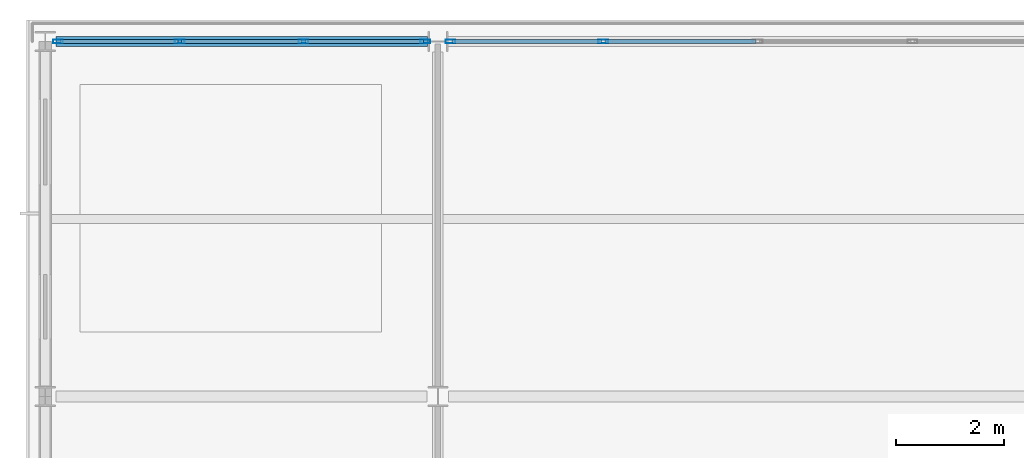
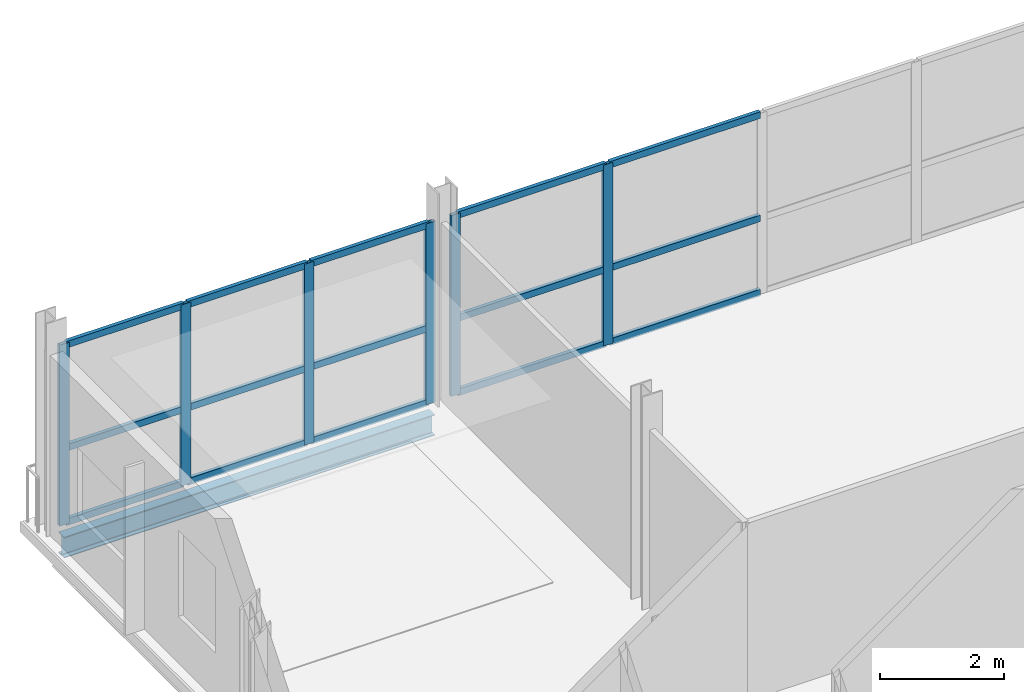
# One storey, part 11 of 23: 21 members, 1 beam, 2 elements without a shape of their own.
"""IFC4 building model written with IfcOpenShell, lengths in metres."""

from ifc_helpers import new_model, si_unit, direction, frame, origin, origin_2d, place, context, subcontext, project, spatial, hollow_rectangle, i_section, extrude, material, layer, layer_set, material_profile, profile_set, type_object, element, aggregate, save


model = new_model("IFC4")

# Units and contexts
model_context = context("Model", 3, precision=1e-05, world=origin(), true_north=direction((0.0, 1.0)))
body_context = subcontext(model_context, "Body", "Model", "MODEL_VIEW")
ifc_project = project(units=[si_unit("LENGTHUNIT", "METRE"), si_unit("AREAUNIT", "SQUARE_METRE"), si_unit("VOLUMEUNIT", "CUBIC_METRE"), si_unit("PLANEANGLEUNIT", "RADIAN"), si_unit("MASSUNIT", "GRAM", prefix="KILO")], contexts=[model_context])

# Site, building, storey
site_placement = place(None, origin())
site = spatial("IfcSite", under=ifc_project, at=site_placement, CompositionType="ELEMENT")
building_placement = place(site_placement, origin())
building = spatial("IfcBuilding", under=site, at=building_placement, Name="Quillay Park Conservatory", CompositionType="ELEMENT")
storey_placement = place(building_placement, frame((0.0, 0.0, 22.5)))
storey = spatial("IfcBuildingStorey", under=building, at=storey_placement, Name="L05", CompositionType="ELEMENT", Elevation=22.5)

# Curtain wall, members
ifc_material_1 = material(Name="Thermally Broken Anodised Aluminium 6063-T6", Category="aluminium")
ifc_layer = layer(ifc_material_1, 0.179931640625)
ifc_layer_set = layer_set([ifc_layer], Name="UNITISED CURTAIN WALL TOWER (Thermally Broken Anodised Aluminium 6063-T6)")
curtain_wall_type = type_object("IfcCurtainWallType", Name="UNITISED CURTAIN WALL TOWER", PredefinedType="USERDEFINED", material=ifc_layer_set)
curtain_wall_1_placement = place(storey_placement, origin())
curtain_wall_1 = element("IfcCurtainWall", 1, at=curtain_wall_1_placement, inside=storey, type_object=curtain_wall_type, Name="L05 Unitised Curtain Wall 055", ObjectType="UNITISED CURTAIN WALL", PredefinedType="USERDEFINED")
ifc_material_2 = material(Name="Thermally Broken Anodised Aluminium 6063-T6", Category="aluminium")
ifc_material_profile_1 = material_profile(ifc_material_2, hollow_rectangle(XDim=0.070068359375, YDim=0.179931640625, WallThickness=0.00390625, at=origin_2d()), Name="AL70x180x4")
ifc_profile_set_1 = profile_set([ifc_material_profile_1], Name="Thermally Broken Anodised Aluminium 6063-T6")
member_type_1 = type_object("IfcMemberType", Name="CURTAIN WALL MULLION 70 X180", PredefinedType="MULLION", material=ifc_profile_set_1)
member_1_placement = place(storey_placement, frame((0.784912109375, 113.39990234375, 0.0), z_axis=(0.0, 0.0, 1.0), x_axis=(0.0, 1.0, 0.0)))
member_1 = element("IfcMember", 2, at=member_1_placement, type_object=member_type_1, Name="CW-T1 mullion 1", PredefinedType="MULLION", context=body_context, shape_type="SweptSolid", body=[
    extrude(hollow_rectangle(XDim=0.070068359375, YDim=0.179931640625, WallThickness=0.00390625, at=origin_2d()), origin(), (0.0, 0.0, 1.0), 3.569091796875),
])
member_2_placement = place(storey_placement, frame((3.050048828125, 113.39990234375, 0.0), z_axis=(0.0, 0.0, 1.0), x_axis=(0.0, 1.0, 0.0)))
member_2 = element("IfcMember", 3, at=member_2_placement, type_object=member_type_1, Name="CW-T1 mullion 2", PredefinedType="MULLION", context=body_context, shape_type="SweptSolid", body=[
    extrude(hollow_rectangle(XDim=0.070068359375, YDim=0.179931640625, WallThickness=0.00390625, at=origin_2d()), origin(), (0.0, 0.0, 1.0), 3.569091796875),
])
member_3_placement = place(storey_placement, frame((5.35009765625, 113.39990234375, 0.0), z_axis=(0.0, 0.0, 1.0), x_axis=(0.0, 1.0, 0.0)))
member_3 = element("IfcMember", 4, at=member_3_placement, type_object=member_type_1, Name="CW-T1 mullion 3", PredefinedType="MULLION", context=body_context, shape_type="SweptSolid", body=[
    extrude(hollow_rectangle(XDim=0.070068359375, YDim=0.179931640625, WallThickness=0.00390625, at=origin_2d()), origin(), (0.0, 0.0, 1.0), 3.569091796875),
])
member_4_placement = place(storey_placement, frame((7.614990234375, 113.39990234375, 0.0), z_axis=(0.0, 0.0, 1.0), x_axis=(0.0, 1.0, 0.0)))
member_4 = element("IfcMember", 5, at=member_4_placement, type_object=member_type_1, Name="CW-T1 mullion 4", PredefinedType="MULLION", context=body_context, shape_type="SweptSolid", body=[
    extrude(hollow_rectangle(XDim=0.070068359375, YDim=0.179931640625, WallThickness=0.00390625, at=origin_2d()), origin(), (0.0, 0.0, 1.0), 3.569091796875),
])

curtain_wall_2_placement = place(storey_placement, origin())
curtain_wall_2 = element("IfcCurtainWall", 6, at=curtain_wall_2_placement, inside=storey, type_object=curtain_wall_type, Name="L05 Unitised Curtain Wall 056", ObjectType="UNITISED CURTAIN WALL", PredefinedType="USERDEFINED")
member_5_placement = place(storey_placement, frame((8.0849609375, 113.39990234375, 0.0), z_axis=(0.0, 0.0, 1.0), x_axis=(0.0, 1.0, 0.0)))
member_5 = element("IfcMember", 7, at=member_5_placement, type_object=member_type_1, Name="CW-T1 mullion 1", PredefinedType="MULLION", context=body_context, shape_type="SweptSolid", body=[
    extrude(hollow_rectangle(XDim=0.070068359375, YDim=0.179931640625, WallThickness=0.00390625, at=origin_2d()), origin(), (0.0, 0.0, 1.0), 3.569091796875),
])
member_6_placement = place(storey_placement, frame((10.925048828125, 113.39990234375, 0.0), z_axis=(0.0, 0.0, 1.0), x_axis=(0.0, 1.0, 0.0)))
member_6 = element("IfcMember", 8, at=member_6_placement, type_object=member_type_1, Name="CW-T1 mullion 2", PredefinedType="MULLION", context=body_context, shape_type="SweptSolid", body=[
    extrude(hollow_rectangle(XDim=0.070068359375, YDim=0.179931640625, WallThickness=0.00390625, at=origin_2d()), origin(), (0.0, 0.0, 1.0), 3.569091796875),
])

# Member
ifc_material_3 = material(Name="Thermally Broken Anodised Aluminium 6063-T6", Category="aluminium")
ifc_material_profile_2 = material_profile(ifc_material_3, hollow_rectangle(XDim=0.070068359375, YDim=0.1298828125, WallThickness=0.003173828125, at=origin_2d()), Name="AL70x130x3.2")
ifc_profile_set_2 = profile_set([ifc_material_profile_2], Name="Thermally Broken Anodised Aluminium 6063-T6")
member_type_2 = type_object("IfcMemberType", Name="CURTAIN WALL TRANSOM 70 X130", PredefinedType="USERDEFINED", material=ifc_profile_set_2)
member_7_placement = place(storey_placement, frame((0.820068359375, 113.39990234375, 0.034912109375), z_axis=(1.0, 0.0, 0.0), x_axis=(0.0, 1.0, 0.0)))
member_7 = element("IfcMember", 9, at=member_7_placement, type_object=member_type_2, Name="CW-T1 transom 1.1", ObjectType="TRANSOM", PredefinedType="USERDEFINED", context=body_context, shape_type="SweptSolid", body=[
    extrude(hollow_rectangle(XDim=0.070068359375, YDim=0.1298828125, WallThickness=0.003173828125, at=origin_2d()), origin(), (0.0, 0.0, 1.0), 2.19482421875),
])

member_8_placement = place(storey_placement, frame((0.820068359375, 113.39990234375, 1.4990234375), z_axis=(1.0, 0.0, 0.0), x_axis=(0.0, 1.0, 0.0)))
member_8 = element("IfcMember", 10, at=member_8_placement, type_object=member_type_2, Name="CW-T1 transom 1.2", ObjectType="TRANSOM", PredefinedType="USERDEFINED", context=body_context, shape_type="SweptSolid", body=[
    extrude(hollow_rectangle(XDim=0.070068359375, YDim=0.1298828125, WallThickness=0.003173828125, at=origin_2d()), origin(), (0.0, 0.0, 1.0), 2.19482421875),
])

member_9_placement = place(storey_placement, frame((0.820068359375, 113.39990234375, 3.533935546875), z_axis=(1.0, 0.0, 0.0), x_axis=(0.0, 1.0, 0.0)))
member_9 = element("IfcMember", 11, at=member_9_placement, type_object=member_type_2, Name="CW-T1 transom 1.3", ObjectType="TRANSOM", PredefinedType="USERDEFINED", context=body_context, shape_type="SweptSolid", body=[
    extrude(hollow_rectangle(XDim=0.070068359375, YDim=0.1298828125, WallThickness=0.003173828125, at=origin_2d()), origin(), (0.0, 0.0, 1.0), 2.19482421875),
])

member_10_placement = place(storey_placement, frame((3.0849609375, 113.39990234375, 0.034912109375), z_axis=(1.0, 0.0, 0.0), x_axis=(0.0, 1.0, 0.0)))
member_10 = element("IfcMember", 12, at=member_10_placement, type_object=member_type_2, Name="CW-T1 transom 2.1", ObjectType="TRANSOM", PredefinedType="USERDEFINED", context=body_context, shape_type="SweptSolid", body=[
    extrude(hollow_rectangle(XDim=0.070068359375, YDim=0.1298828125, WallThickness=0.003173828125, at=origin_2d()), origin(), (0.0, 0.0, 1.0), 2.22998046875),
])

member_11_placement = place(storey_placement, frame((3.0849609375, 113.39990234375, 1.4990234375), z_axis=(1.0, 0.0, 0.0), x_axis=(0.0, 1.0, 0.0)))
member_11 = element("IfcMember", 13, at=member_11_placement, type_object=member_type_2, Name="CW-T1 transom 2.2", ObjectType="TRANSOM", PredefinedType="USERDEFINED", context=body_context, shape_type="SweptSolid", body=[
    extrude(hollow_rectangle(XDim=0.070068359375, YDim=0.1298828125, WallThickness=0.003173828125, at=origin_2d()), origin(), (0.0, 0.0, 1.0), 2.22998046875),
])

member_12_placement = place(storey_placement, frame((3.0849609375, 113.39990234375, 3.533935546875), z_axis=(1.0, 0.0, 0.0), x_axis=(0.0, 1.0, 0.0)))
member_12 = element("IfcMember", 14, at=member_12_placement, type_object=member_type_2, Name="CW-T1 transom 2.3", ObjectType="TRANSOM", PredefinedType="USERDEFINED", context=body_context, shape_type="SweptSolid", body=[
    extrude(hollow_rectangle(XDim=0.070068359375, YDim=0.1298828125, WallThickness=0.003173828125, at=origin_2d()), origin(), (0.0, 0.0, 1.0), 2.22998046875),
])

member_13_placement = place(storey_placement, frame((5.385009765625, 113.39990234375, 0.034912109375), z_axis=(1.0, 0.0, 0.0), x_axis=(0.0, 1.0, 0.0)))
member_13 = element("IfcMember", 15, at=member_13_placement, type_object=member_type_2, Name="CW-T1 transom 3.1", ObjectType="TRANSOM", PredefinedType="USERDEFINED", context=body_context, shape_type="SweptSolid", body=[
    extrude(hollow_rectangle(XDim=0.070068359375, YDim=0.1298828125, WallThickness=0.003173828125, at=origin_2d()), origin(), (0.0, 0.0, 1.0), 2.195068359375),
])

member_14_placement = place(storey_placement, frame((5.385009765625, 113.39990234375, 1.4990234375), z_axis=(1.0, 0.0, 0.0), x_axis=(0.0, 1.0, 0.0)))
member_14 = element("IfcMember", 16, at=member_14_placement, type_object=member_type_2, Name="CW-T1 transom 3.2", ObjectType="TRANSOM", PredefinedType="USERDEFINED", context=body_context, shape_type="SweptSolid", body=[
    extrude(hollow_rectangle(XDim=0.070068359375, YDim=0.1298828125, WallThickness=0.003173828125, at=origin_2d()), origin(), (0.0, 0.0, 1.0), 2.195068359375),
])

member_15_placement = place(storey_placement, frame((5.385009765625, 113.39990234375, 3.533935546875), z_axis=(1.0, 0.0, 0.0), x_axis=(0.0, 1.0, 0.0)))
member_15 = element("IfcMember", 17, at=member_15_placement, type_object=member_type_2, Name="CW-T1 transom 3.3", ObjectType="TRANSOM", PredefinedType="USERDEFINED", context=body_context, shape_type="SweptSolid", body=[
    extrude(hollow_rectangle(XDim=0.070068359375, YDim=0.1298828125, WallThickness=0.003173828125, at=origin_2d()), origin(), (0.0, 0.0, 1.0), 2.195068359375),
])

aggregate(curtain_wall_1, [member_1, member_2, member_3, member_4, member_7, member_8, member_9, member_10, member_11, member_12, member_13, member_14, member_15])

member_16_placement = place(storey_placement, frame((8.1201171875, 113.39990234375, 0.034912109375), z_axis=(1.0, 0.0, 0.0), x_axis=(0.0, 1.0, 0.0)))
member_16 = element("IfcMember", 18, at=member_16_placement, type_object=member_type_2, Name="CW-T1 transom 1.1", ObjectType="TRANSOM", PredefinedType="USERDEFINED", context=body_context, shape_type="SweptSolid", body=[
    extrude(hollow_rectangle(XDim=0.070068359375, YDim=0.1298828125, WallThickness=0.003173828125, at=origin_2d()), origin(), (0.0, 0.0, 1.0), 2.769775390625),
])

member_17_placement = place(storey_placement, frame((8.1201171875, 113.39990234375, 1.4990234375), z_axis=(1.0, 0.0, 0.0), x_axis=(0.0, 1.0, 0.0)))
member_17 = element("IfcMember", 19, at=member_17_placement, type_object=member_type_2, Name="CW-T1 transom 1.2", ObjectType="TRANSOM", PredefinedType="USERDEFINED", context=body_context, shape_type="SweptSolid", body=[
    extrude(hollow_rectangle(XDim=0.070068359375, YDim=0.1298828125, WallThickness=0.003173828125, at=origin_2d()), origin(), (0.0, 0.0, 1.0), 2.769775390625),
])

member_18_placement = place(storey_placement, frame((8.1201171875, 113.39990234375, 3.533935546875), z_axis=(1.0, 0.0, 0.0), x_axis=(0.0, 1.0, 0.0)))
member_18 = element("IfcMember", 20, at=member_18_placement, type_object=member_type_2, Name="CW-T1 transom 1.3", ObjectType="TRANSOM", PredefinedType="USERDEFINED", context=body_context, shape_type="SweptSolid", body=[
    extrude(hollow_rectangle(XDim=0.070068359375, YDim=0.1298828125, WallThickness=0.003173828125, at=origin_2d()), origin(), (0.0, 0.0, 1.0), 2.769775390625),
])

member_19_placement = place(storey_placement, frame((10.9599609375, 113.39990234375, 0.034912109375), z_axis=(1.0, 0.0, 0.0), x_axis=(0.0, 1.0, 0.0)))
member_19 = element("IfcMember", 21, at=member_19_placement, type_object=member_type_2, Name="CW-T1 transom 2.1", ObjectType="TRANSOM", PredefinedType="USERDEFINED", context=body_context, shape_type="SweptSolid", body=[
    extrude(hollow_rectangle(XDim=0.070068359375, YDim=0.1298828125, WallThickness=0.003173828125, at=origin_2d()), origin(), (0.0, 0.0, 1.0), 2.804931640625),
])

member_20_placement = place(storey_placement, frame((10.9599609375, 113.39990234375, 1.4990234375), z_axis=(1.0, 0.0, 0.0), x_axis=(0.0, 1.0, 0.0)))
member_20 = element("IfcMember", 22, at=member_20_placement, type_object=member_type_2, Name="CW-T1 transom 2.2", ObjectType="TRANSOM", PredefinedType="USERDEFINED", context=body_context, shape_type="SweptSolid", body=[
    extrude(hollow_rectangle(XDim=0.070068359375, YDim=0.1298828125, WallThickness=0.003173828125, at=origin_2d()), origin(), (0.0, 0.0, 1.0), 2.804931640625),
])

member_21_placement = place(storey_placement, frame((10.9599609375, 113.39990234375, 3.533935546875), z_axis=(1.0, 0.0, 0.0), x_axis=(0.0, 1.0, 0.0)))
member_21 = element("IfcMember", 23, at=member_21_placement, type_object=member_type_2, Name="CW-T1 transom 2.3", ObjectType="TRANSOM", PredefinedType="USERDEFINED", context=body_context, shape_type="SweptSolid", body=[
    extrude(hollow_rectangle(XDim=0.070068359375, YDim=0.1298828125, WallThickness=0.003173828125, at=origin_2d()), origin(), (0.0, 0.0, 1.0), 2.804931640625),
])

aggregate(curtain_wall_2, [member_5, member_6, member_16, member_17, member_18, member_19, member_20, member_21])

# Beam
ifc_material_4 = material(Name="Steel ASTM A992 Grade 50", Category="steel")
ifc_material_profile_3 = material_profile(ifc_material_4, i_section(OverallWidth=0.179931640625, OverallDepth=0.4130859375, WebThickness=0.009765625, FlangeThickness=0.01611328125, FilletRadius=0.011962890625, at=origin_2d()), Name="W410x74")
ifc_profile_set_3 = profile_set([ifc_material_profile_3], Name="Steel ASTM A992 Grade 50")
beam_type = type_object("IfcBeamType", Name="PERIMETER SPANDREL BEAM W410 X74", PredefinedType="SPANDREL", material=ifc_profile_set_3)
beam_placement = place(storey_placement, frame((0.74755859375, 113.39990234375, -0.406494140625), z_axis=(1.0, 0.0, 0.0), x_axis=(0.0, 1.0, 0.0)))
element("IfcBeam", 24, at=beam_placement, inside=storey, type_object=beam_type, Name="L05 beam BM-SP-0399", PredefinedType="SPANDREL", context=body_context, shape_type="SweptSolid", body=[
    extrude(i_section(OverallWidth=0.179931640625, OverallDepth=0.4130859375, WebThickness=0.009765625, FlangeThickness=0.01611328125, FilletRadius=0.011962890625, at=origin_2d()), origin(), (0.0, 0.0, 1.0), 6.912353515625),
])

save(model, "model.ifc")
